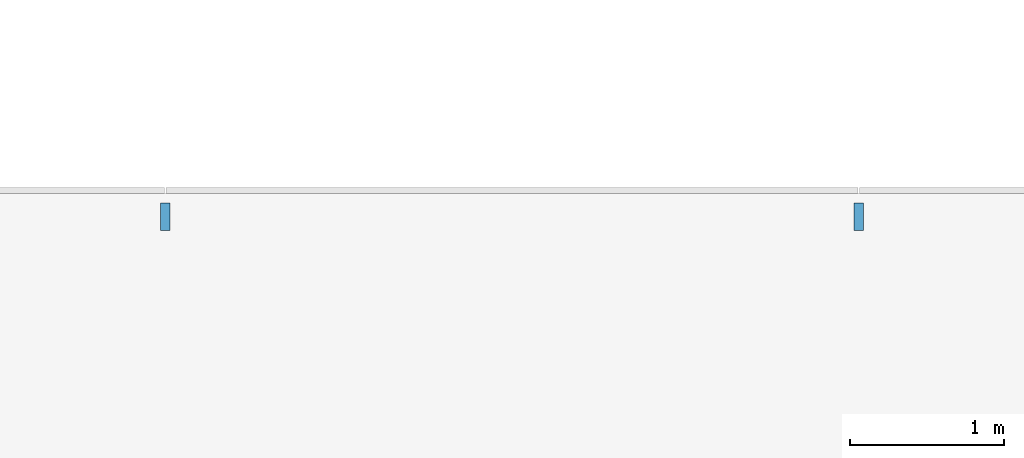
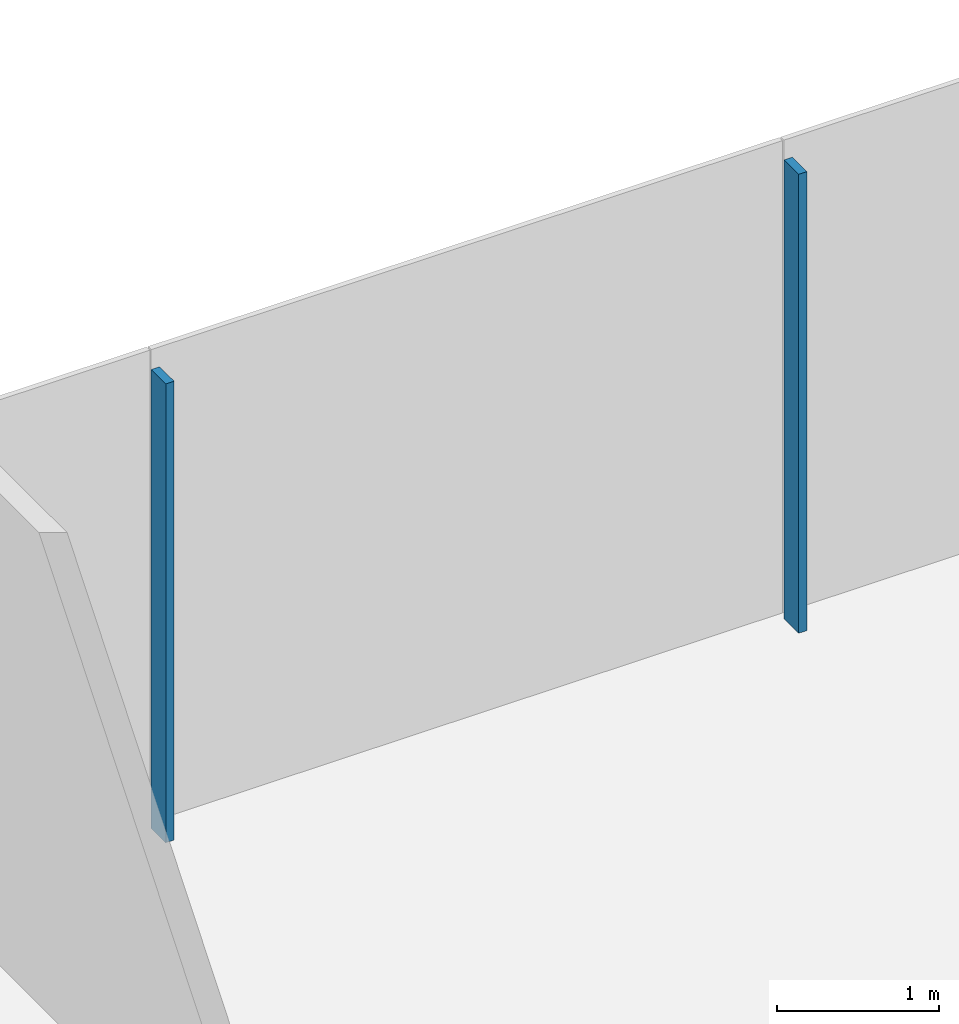
# One storey, part 5 of 20: 2 members, 1 element without a shape of its own.
"""IFC4 building model written with IfcOpenShell, lengths in metres."""

from ifc_helpers import new_model, si_unit, direction, frame, origin, origin_2d, place, context, subcontext, project, spatial, rectangle, extrude, material, layer, layer_set, material_profile, profile_set, type_object, element, aggregate, save


model = new_model("IFC4")

# Units and contexts
model_context = context("Model", 3, precision=1e-05, world=origin(), true_north=direction((0.0, 1.0)))
body_context = subcontext(model_context, "Body", "Model", "MODEL_VIEW")
ifc_project = project(units=[si_unit("LENGTHUNIT", "METRE"), si_unit("AREAUNIT", "SQUARE_METRE"), si_unit("VOLUMEUNIT", "CUBIC_METRE"), si_unit("PLANEANGLEUNIT", "RADIAN"), si_unit("MASSUNIT", "GRAM", prefix="KILO")], contexts=[model_context])

# Site, building, storey
site_placement = place(None, origin())
site = spatial("IfcSite", under=ifc_project, at=site_placement, CompositionType="ELEMENT")
building_placement = place(site_placement, origin())
building = spatial("IfcBuilding", under=site, at=building_placement, Name="Shamsa Quay Exchange Towers", CompositionType="ELEMENT")
storey_placement = place(building_placement, frame((0.0, 0.0, 109.199951171875)))
storey = spatial("IfcBuildingStorey", under=building, at=storey_placement, Name="L25", CompositionType="ELEMENT", Elevation=109.199951171875)

# Curtain wall, members
ifc_material = material(Name="Aluminium EN AW-6063 T6, black anodised", Category="aluminium")
ifc_layer = layer(ifc_material, 0.280029296875)
ifc_layer_set = layer_set([ifc_layer], Name="CW-1 UNITISED VISION GLASS")
curtain_wall_type = type_object("IfcCurtainWallType", Name="CW-1 UNITISED VISION GLASS", PredefinedType="NOTDEFINED", material=ifc_layer_set)
curtain_wall_placement = place(storey_placement, origin())
curtain_wall = element("IfcCurtainWall", 1, at=curtain_wall_placement, inside=storey, type_object=curtain_wall_type, Name="CW1 T1-END-V+ L25", PredefinedType="NOTDEFINED")
ifc_material_profile = material_profile(ifc_material, rectangle(XDim=0.179931640625, YDim=0.06005859375, at=origin_2d()), Name="MU60x180")
ifc_profile_set = profile_set([ifc_material_profile], Name="Aluminium EN AW-6063 T6, black anodised")
member_type = type_object("IfcMemberType", Name="CW1 MULLION 60x180", PredefinedType="MULLION", material=ifc_profile_set)
member_1_placement = place(storey_placement, frame((-31.5, 20.10009765625, 0.0), z_axis=(0.0, 0.0, 1.0), x_axis=(0.0, -1.0, 0.0)))
member_1 = element("IfcMember", 2, at=member_1_placement, type_object=member_type, Name="CW1 mullion", PredefinedType="MULLION", context=body_context, shape_type="SweptSolid", body=[
    extrude(rectangle(XDim=0.179931640625, YDim=0.06005859375, at=origin_2d()), origin(), (0.0, 0.0, 1.0), 3.449951171875),
])
member_2_placement = place(storey_placement, frame((-36.0, 20.10009765625, 0.0), z_axis=(0.0, 0.0, 1.0), x_axis=(0.0, -1.0, 0.0)))
member_2 = element("IfcMember", 3, at=member_2_placement, type_object=member_type, Name="CW1 mullion", PredefinedType="MULLION", context=body_context, shape_type="SweptSolid", body=[
    extrude(rectangle(XDim=0.179931640625, YDim=0.06005859375, at=origin_2d()), origin(), (0.0, 0.0, 1.0), 3.449951171875),
])
aggregate(curtain_wall, [member_1, member_2])

save(model, "model.ifc")
